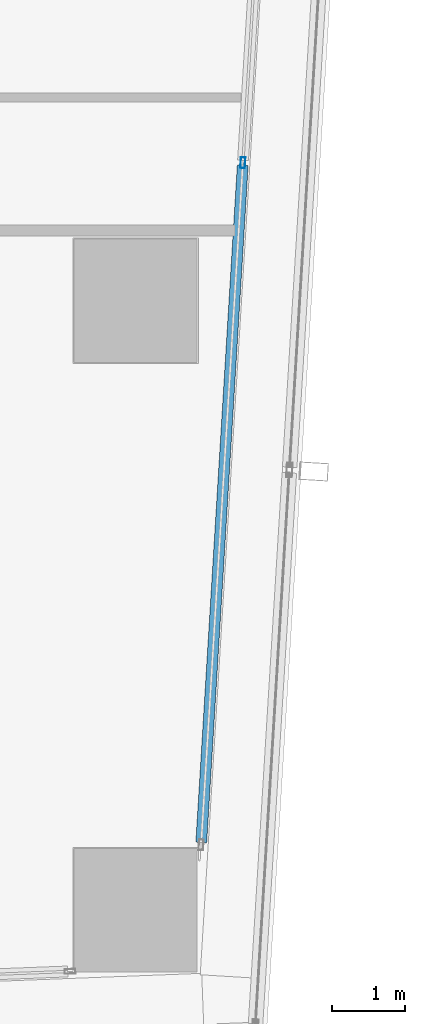
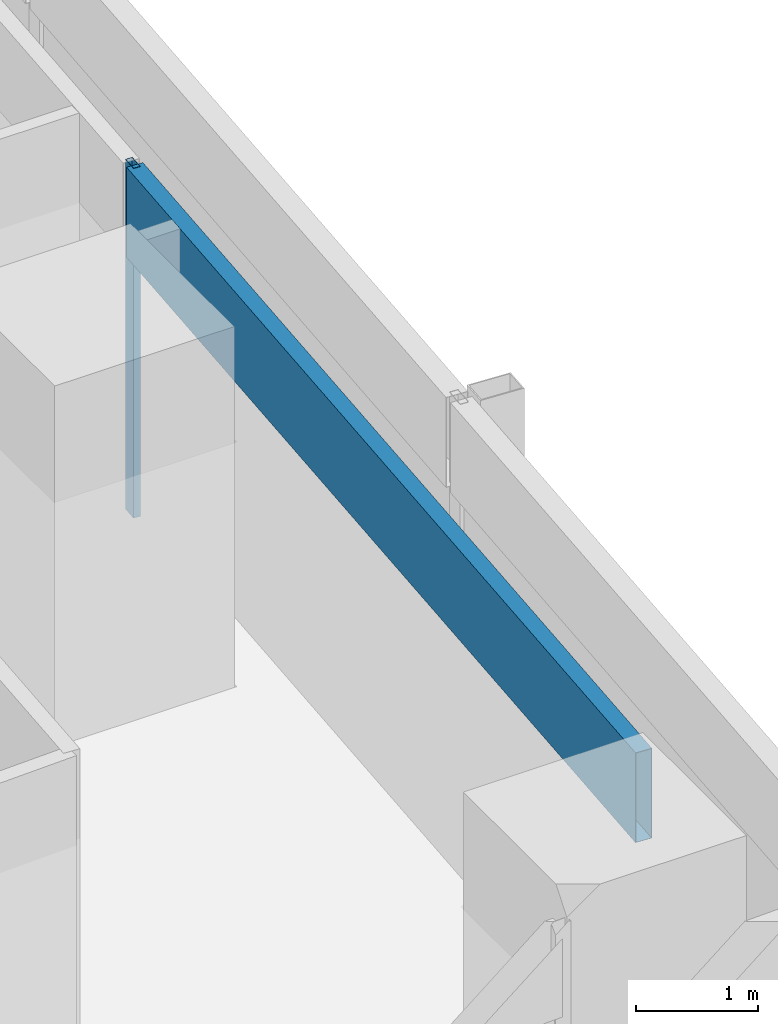
# One storey, part 13 of 40: 2 members, 1 element without a shape of its own.
"""IFC4 building model written with IfcOpenShell, lengths in metres."""

import ifcopenshell
import ifcopenshell.guid

model = None  # the IFC model being written
_history = None  # IfcOwnerHistory: only IFC2X3 demands one
_inside = {}  # id of a spatial element -> (the spatial element, [elements in it])
_under = {}  # id of a project, library or spatial element -> (it, [spatial elements below it])
_declared = {}  # id of a project -> (the project, [libraries it declares])
_typed = {}  # id of a type object -> (the type object, [elements of that type])
_made_of = {}  # id of a material, layer set ... -> (it, [elements and type objects made of it])


def new_model(schema):
    """Start an empty IFC model of exactly this schema.

    Asked for "IFC4X3", IfcOpenShell would pick the latest addendum, in which some entities
    have other attributes; the version numbers below select the first issue.
    IFC2X3 requires an IfcOwnerHistory on every rooted entity: one is made here for all.
    """
    global model, _history
    if schema == "IFC4X3":
        model = ifcopenshell.file(schema_version=(4, 3, 0, 0))
    else:
        model = ifcopenshell.file(schema=schema)
    _inside.clear()
    _under.clear()
    _declared.clear()
    _typed.clear()
    _made_of.clear()
    _history = None
    if model.schema == "IFC2X3":
        org = make("IfcOrganization", Name="unknown")
        user = make(
            "IfcPersonAndOrganization",
            ThePerson=make("IfcPerson", FamilyName="unknown"),
            TheOrganization=org,
        )
        app = make(
            "IfcApplication",
            ApplicationDeveloper=org,
            Version="unknown",
            ApplicationFullName="unknown",
            ApplicationIdentifier="unknown",
        )
        _history = make(
            "IfcOwnerHistory",
            OwningUser=user,
            OwningApplication=app,
            ChangeAction="ADDED",
            CreationDate=0,
        )
    return model


def make(cls, **values):
    """One entity of the class cls with the attributes given. An attribute that is None is left unset."""
    return model.create_entity(
        cls, **{name: value for name, value in values.items() if value is not None}
    )


def rooted(cls, **values):
    """An entity with a GlobalId (a new one), such as an element, a storey or a relation."""
    return make(cls, GlobalId=ifcopenshell.guid.new(), OwnerHistory=_history, **values)


def si_unit(unit_type, name, prefix=None):
    """IfcSIUnit, for example si_unit("LENGTHUNIT", "METRE", prefix="MILLI")."""
    return make("IfcSIUnit", UnitType=unit_type, Prefix=prefix, Name=name)


def assignment(units):
    """IfcUnitAssignment: the units of a project."""
    return None if units is None else make("IfcUnitAssignment", Units=units)


def point(xyz):
    """IfcCartesianPoint."""
    return None if xyz is None else make("IfcCartesianPoint", Coordinates=xyz)


def direction(xyz):
    """IfcDirection."""
    return None if xyz is None else make("IfcDirection", DirectionRatios=xyz)


def frame(location, z_axis=None, x_axis=None):
    """IfcAxis2Placement3D, a coordinate frame: its origin and axes. An axis left out is left unset."""
    return make(
        "IfcAxis2Placement3D",
        Location=point(location),
        Axis=direction(z_axis),
        RefDirection=direction(x_axis),
    )


def frame_2d(location, x_axis=None):
    """IfcAxis2Placement2D, a coordinate frame in the plane: its origin and x axis."""
    return make(
        "IfcAxis2Placement2D", Location=point(location), RefDirection=direction(x_axis)
    )


def origin():
    """The frame at (0, 0, 0) with its axes left unset."""
    return frame((0.0, 0.0, 0.0))


def origin_2d():
    """The frame at (0, 0) in the plane with its x axis left unset."""
    return frame_2d((0.0, 0.0))


def place(relative_to, where):
    """IfcLocalPlacement: puts the frame where relative to a parent placement (None: the world)."""
    return make(
        "IfcLocalPlacement", PlacementRelTo=relative_to, RelativePlacement=where
    )


def context(
    kind, dimensions, precision=None, world=None, true_north=None, identifier=None
):
    """IfcGeometricRepresentationContext, for example the 3D "Model" context."""
    return make(
        "IfcGeometricRepresentationContext",
        ContextIdentifier=identifier,
        ContextType=kind,
        CoordinateSpaceDimension=dimensions,
        Precision=precision,
        WorldCoordinateSystem=world,
        TrueNorth=true_north,
    )


def subcontext(parent, identifier, kind, view, scale=None):
    """IfcGeometricRepresentationSubContext, for example "Body" below "Model"."""
    return make(
        "IfcGeometricRepresentationSubContext",
        ContextIdentifier=identifier,
        ContextType=kind,
        ParentContext=parent,
        TargetScale=scale,
        TargetView=view,
    )


def project(units=None, contexts=None):
    """IfcProject with its units and contexts."""
    return rooted(
        "IfcProject",
        Name="project",
        RepresentationContexts=contexts,
        UnitsInContext=assignment(units),
    )


def spatial(cls, under=None, at=None, **own):
    """A site, building, storey or space (cls), placed at a placement, below another one or the project."""
    s = rooted(cls, ObjectPlacement=at, **own)
    if under is not None:
        _under.setdefault(under.id(), (under, []))[1].append(s)
    return s


def profile(cls, at=None, kind="AREA", **sizes):
    """A parametric profile (cls). Its sizes go by their IFC names, for example OverallWidth=200.0."""
    return make(cls, ProfileType=kind, Position=at, **sizes)


def hollow_rectangle(**sizes):
    """IfcRectangleHollowProfileDef."""
    return profile("IfcRectangleHollowProfileDef", **sizes)


def extrude(swept, where, along, depth):
    """IfcExtrudedAreaSolid: the profile swept, set in the frame where, extruded along a direction by depth."""
    return make(
        "IfcExtrudedAreaSolid",
        SweptArea=swept,
        Position=where,
        ExtrudedDirection=direction(along),
        Depth=depth,
    )


def shape(context_of_items, identifier, shape_type, items):
    """IfcShapeRepresentation: the items that make up one representation, for example the "Body"."""
    return make(
        "IfcShapeRepresentation",
        ContextOfItems=context_of_items,
        RepresentationIdentifier=identifier,
        RepresentationType=shape_type,
        Items=items,
    )


def material(Name=None, Category=None):
    """IfcMaterial."""
    return make("IfcMaterial", Name=Name, Category=Category)


def material_profile(
    of_material, cross_section, Name=None, Category=None, Priority=None
):
    """IfcMaterialProfile: a cross section and its material."""
    return make(
        "IfcMaterialProfile",
        Name=Name,
        Material=of_material,
        Profile=cross_section,
        Priority=Priority,
        Category=Category,
    )


def profile_set(profiles, Name=None, composite=None):
    """IfcMaterialProfileSet."""
    return make(
        "IfcMaterialProfileSet",
        Name=Name,
        MaterialProfiles=profiles,
        CompositeProfile=composite,
    )


def made_of(thing, what):
    """Note that an element or type object is made of a material, layer set ...; save() writes the relation."""
    if what is not None:
        _made_of.setdefault(what.id(), (what, []))[1].append(thing)
    return thing


def type_object(cls, material=None, **own):
    """A type object (cls), such as IfcWallType, which elements share."""
    return made_of(rooted(cls, **own), material)


def element(
    cls,
    number,
    at=None,
    inside=None,
    cuts=None,
    type_object=None,
    material=None,
    context=None,
    identifier="Body",
    shape_type=None,
    held_by="IfcProductDefinitionShape",
    body=None,
    shapes=None,
    **own,
):
    """One element of the class cls, such as IfcWall. Its Tag is "e" and its number.

    at: its placement. inside: the storey or other place that contains it. cuts: it is an
    opening in that element (IfcRelVoidsElement). A single representation is given by context,
    identifier, shape_type and body (its items); several are given by shapes. held_by: the class
    of the entity that holds the representations. save() writes the other relations.
    """
    e = rooted(cls, Tag="e%d" % number, ObjectPlacement=at, **own)
    if body is not None:
        shapes = [shape(context, identifier, shape_type, body)]
    if shapes is not None:
        e.Representation = make(held_by, Representations=shapes)
    if inside is not None:
        _inside.setdefault(inside.id(), (inside, []))[1].append(e)
    if cuts is not None:
        rooted(
            "IfcRelVoidsElement", RelatingBuildingElement=cuts, RelatedOpeningElement=e
        )
    if type_object is not None:
        _typed.setdefault(type_object.id(), (type_object, []))[1].append(e)
    return made_of(e, material)


def aggregate(whole, parts):
    """IfcRelAggregates: a whole, such as a stair, and the parts it consists of."""
    return rooted("IfcRelAggregates", RelatingObject=whole, RelatedObjects=parts)


def save(model, path):
    """Write the relations noted so far, then the file.

    IfcRelAggregates (storeys below a building ...), IfcRelContainedInSpatialStructure (elements
    in a storey), IfcRelDefinesByType, IfcRelAssociatesMaterial and IfcRelDeclares: one each for
    every whole, place, type object, material and project.
    """
    for whole, parts in _under.values():
        aggregate(whole, parts)
    for where, things in _inside.values():
        rooted(
            "IfcRelContainedInSpatialStructure",
            RelatedElements=things,
            RelatingStructure=where,
        )
    for kind, things in _typed.values():
        rooted("IfcRelDefinesByType", RelatedObjects=things, RelatingType=kind)
    for what, things in _made_of.values():
        rooted("IfcRelAssociatesMaterial", RelatedObjects=things, RelatingMaterial=what)
    for by, libraries in _declared.values():
        rooted("IfcRelDeclares", RelatingContext=by, RelatedDefinitions=libraries)
    model.write(path)


model = new_model("IFC4")

# Units and contexts
model_context = context("Model", 3, precision=1e-05, world=origin(), true_north=direction((0.0, 1.0)))
body_context = subcontext(model_context, "Body", "Model", "MODEL_VIEW")
ifc_project = project(units=[si_unit("LENGTHUNIT", "METRE"), si_unit("AREAUNIT", "SQUARE_METRE"), si_unit("VOLUMEUNIT", "CUBIC_METRE"), si_unit("PLANEANGLEUNIT", "RADIAN"), si_unit("MASSUNIT", "GRAM", prefix="KILO")], contexts=[model_context])

# Site, building, storey
site_placement = place(None, origin())
site = spatial("IfcSite", under=ifc_project, at=site_placement, CompositionType="ELEMENT")
building_placement = place(site_placement, origin())
building = spatial("IfcBuilding", under=site, at=building_placement, Name="Rekha Terrace Tower", CompositionType="ELEMENT")
storey_placement = place(building_placement, frame((0.0, 0.0, 121.550048828125)))
storey = spatial("IfcBuildingStorey", under=building, at=storey_placement, Name="L30", CompositionType="ELEMENT", Elevation=121.550048828125)

# Curtain wall, members
ifc_material_1 = material(Name="Aluminium framing", Category="aluminium")
curtain_wall_type = type_object("IfcCurtainWallType", Name="CW1 double skin inner glazing", PredefinedType="USERDEFINED", material=ifc_material_1)
curtain_wall_placement = place(storey_placement, origin())
curtain_wall = element("IfcCurtainWall", 1, at=curtain_wall_placement, inside=storey, type_object=curtain_wall_type, Name="CW1 double skin inner glazing", ObjectType="DOUBLE SKIN INNER GLAZING", PredefinedType="USERDEFINED")
ifc_material_2 = material(Name="Aluminium mullion section", Category="aluminium")
ifc_material_profile_1 = material_profile(ifc_material_2, hollow_rectangle(XDim=0.06494140625, YDim=0.14990234375, WallThickness=0.00390625, at=origin_2d()), Name="AL RHS 65x150")
ifc_profile_set_1 = profile_set([ifc_material_profile_1], Name="Aluminium mullion section")
member_type_1 = type_object("IfcMemberType", Name="CW1 mullion RHS 65 x 150", PredefinedType="MULLION", material=ifc_profile_set_1)
member_1_placement = place(storey_placement, frame((68.679443359375, 27.101806640625, 0.0), z_axis=(0.0, 0.0, 1.0), x_axis=(-0.998127987024, 0.061159803131, 0.0)))
member_1 = element("IfcMember", 2, at=member_1_placement, type_object=member_type_1, Name="CW1 mullion 2", PredefinedType="MULLION", context=body_context, shape_type="SweptSolid", body=[
    extrude(hollow_rectangle(XDim=0.06494140625, YDim=0.14990234375, WallThickness=0.00390625, at=origin_2d()), origin(), (0.0, 0.0, 1.0), 3.5),
])
ifc_material_3 = material(Name="Insulated aluminium spandrel box", Category="aluminium")
ifc_material_profile_2 = material_profile(ifc_material_3, hollow_rectangle(XDim=0.14990234375, YDim=0.89990234375, WallThickness=0.0029296875, at=origin_2d()), Name="AL SPANDREL BOX 150x900")
ifc_profile_set_2 = profile_set([ifc_material_profile_2], Name="Insulated aluminium spandrel box")
member_type_2 = type_object("IfcMemberType", Name="CW1 spandrel transom 150 x 900", PredefinedType="USERDEFINED", material=ifc_profile_set_2)
member_2_placement = place(storey_placement, frame((68.10546875, 17.731689453125, 3.050048828125), z_axis=(0.061145082926, 0.998128888889, 0.0), x_axis=(-0.998128888889, 0.061145082926, 0.0)))
member_2 = element("IfcMember", 3, at=member_2_placement, type_object=member_type_2, Name="CW1 spandrel transom 1", ObjectType="TRANSOM", PredefinedType="USERDEFINED", context=body_context, shape_type="SweptSolid", body=[
    extrude(hollow_rectangle(XDim=0.14990234375, YDim=0.89990234375, WallThickness=0.0029296875, at=origin_2d()), origin(), (0.0, 0.0, 1.0), 9.355224609375),
])
aggregate(curtain_wall, [member_1, member_2])

save(model, "model.ifc")
